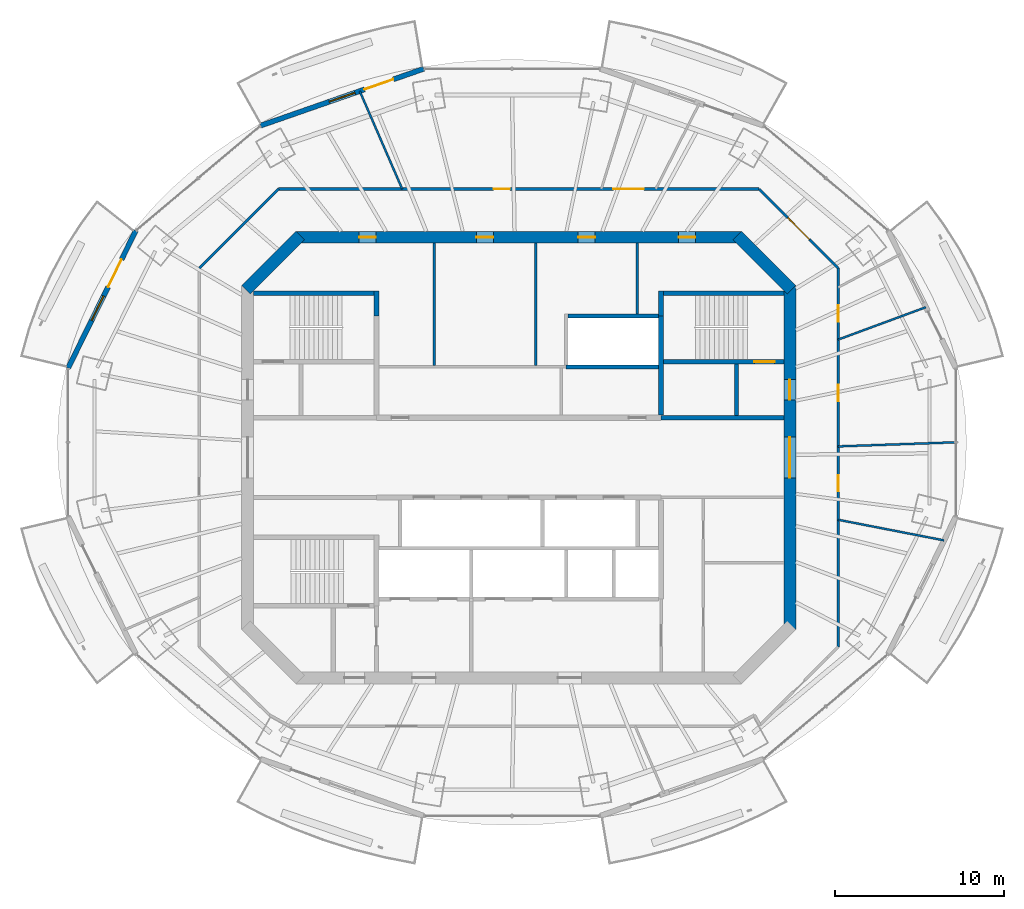
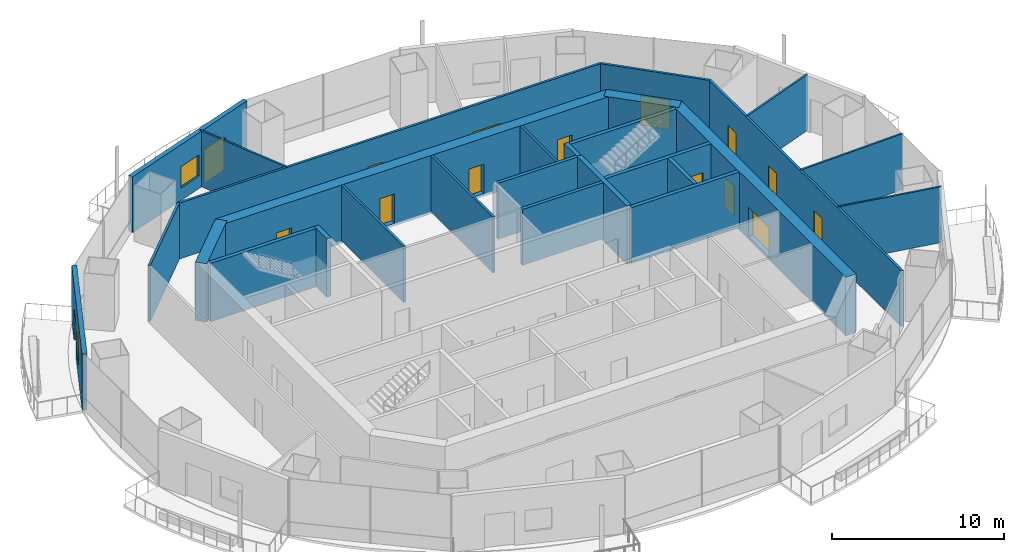
# One storey, part 10 of 16: 27 walls, 15 doors, 2 windows, 17 openings.
"""IFC4 building model written with IfcOpenShell, lengths in metres."""

from ifc_helpers import new_model, si_unit, direction, frame, frame_2d, origin, place, context, subcontext, project, spatial, rectangle, extrude, material, layer, layer_set, type_object, element, fill, save


model = new_model("IFC4")

# Units and contexts
model_context = context("Model", 3, precision=1e-05, world=origin(), true_north=direction((0.0, 1.0)))
body_context = subcontext(model_context, "Body", "Model", "MODEL_VIEW")
ifc_project = project(units=[si_unit("LENGTHUNIT", "METRE"), si_unit("AREAUNIT", "SQUARE_METRE"), si_unit("VOLUMEUNIT", "CUBIC_METRE"), si_unit("PLANEANGLEUNIT", "RADIAN"), si_unit("MASSUNIT", "GRAM", prefix="KILO")], contexts=[model_context])

# Site, building, storey
site_placement = place(None, origin())
site = spatial("IfcSite", under=ifc_project, at=site_placement, CompositionType="ELEMENT")
building_placement = place(site_placement, origin())
building = spatial("IfcBuilding", under=site, at=building_placement, Name="Marenthal Gate Tower", CompositionType="ELEMENT")
storey_placement = place(building_placement, frame((0.0, 0.0, 355.050048828125)))
storey = spatial("IfcBuildingStorey", under=building, at=storey_placement, Name="L80", CompositionType="ELEMENT", Elevation=355.050048828125)

# Wall, openings, doors
ifc_material_1 = material(Name="Concrete 60 MPa", Category="concrete")
ifc_layer_1 = layer(ifc_material_1, 0.699951171875)
ifc_layer_set_1 = layer_set([ifc_layer_1], Name="Core shear wall 700")
wall_type_1 = type_object("IfcWallType", Name="Core shear wall 700", PredefinedType="SHEAR", material=ifc_layer_set_1)
wall_1_placement = place(storey_placement, frame((16.0, -10.14501953125, -0.179931640625), z_axis=(0.0, 0.0, 1.0), x_axis=(0.0, 1.0, 0.0)))
wall_1 = element("IfcWall", 1, at=wall_1_placement, inside=storey, type_object=wall_type_1, Name="Core wall 02", PredefinedType="SHEAR", context=body_context, shape_type="SweptSolid", body=[
    extrude(rectangle(XDim=20.2900390625, YDim=0.699951171875, at=frame_2d((10.14501953125, 0.0))), origin(), (0.0, 0.0, 1.0), 4.14990234375),
])
opening_1_placement = place(wall_1_placement, frame((8.945068359375, 0.0, 0.179931640625)))
opening_1 = element("IfcOpeningElement", 2, at=opening_1_placement, cuts=wall_1, Name="Opening D003.02", PredefinedType="OPENING", context=body_context, shape_type="SweptSolid", body=[
    extrude(rectangle(XDim=2.39990234375, YDim=2.10009765625, at=frame_2d((1.199951171875, 1.050048828125))), frame((0.0, 0.35986328125, 0.0), z_axis=(0.0, -1.0, 0.0), x_axis=(1.0, 0.0, 0.0)), (0.0, 0.0, 1.0), 0.719970703125),
])
opening_2_placement = place(wall_1_placement, frame((13.544921875, 0.0, 0.179931640625)))
opening_2 = element("IfcOpeningElement", 3, at=opening_2_placement, cuts=wall_1, Name="Opening D001.05", PredefinedType="OPENING", context=body_context, shape_type="SweptSolid", body=[
    extrude(rectangle(XDim=1.199951171875, YDim=2.10009765625, at=frame_2d((0.60009765625, 1.050048828125))), frame((0.0, 0.35986328125, 0.0), z_axis=(0.0, -1.0, 0.0), x_axis=(1.0, 0.0, 0.0)), (0.0, 0.0, 1.0), 0.719970703125),
])
ifc_material_2 = material(Name="Steel fire door", Category="steel")
door_type_1 = type_object("IfcDoorType", Name="Double fire door FD 45 2400 x 2100", OperationType="DOUBLE_DOOR_SINGLE_SWING", PredefinedType="DOOR", material=ifc_material_2)
door_1_placement = place(opening_1_placement, origin())
door_1 = element("IfcDoor", 4, at=door_1_placement, inside=storey, type_object=door_type_1, Name="Door D003.02", OperationType="DOUBLE_DOOR_SINGLE_SWING", OverallHeight=2.10009765625, OverallWidth=2.39990234375, PredefinedType="DOOR", context=body_context, shape_type="SweptSolid", body=[
    extrude(rectangle(XDim=2.39990234375, YDim=2.10009765625, at=frame_2d((1.199951171875, 1.050048828125))), frame((0.0, 0.02490234375, 0.0), z_axis=(0.0, -1.0, 0.0), x_axis=(1.0, 0.0, 0.0)), (0.0, 0.0, 1.0), 0.050048828125),
])
fill(opening_1, door_1)
ifc_material_3 = material(Name="Steel fire door", Category="steel")
door_type_2 = type_object("IfcDoorType", Name="Fire door FD 90 1200 x 2100", OperationType="NOTDEFINED", PredefinedType="DOOR", material=ifc_material_3)
door_2_placement = place(opening_2_placement, origin())
door_2 = element("IfcDoor", 5, at=door_2_placement, inside=storey, type_object=door_type_2, Name="Door D001.05", OperationType="SINGLE_SWING_RIGHT", OverallHeight=2.10009765625, OverallWidth=1.199951171875, PredefinedType="DOOR", context=body_context, shape_type="SweptSolid", body=[
    extrude(rectangle(XDim=1.199951171875, YDim=2.10009765625, at=frame_2d((0.60009765625, 1.050048828125))), frame((0.0, 0.02490234375, 0.0), z_axis=(0.0, -1.0, 0.0), x_axis=(1.0, 0.0, 0.0)), (0.0, 0.0, 1.0), 0.050048828125),
])
fill(opening_2, door_2)

# Wall
wall_2_placement = place(storey_placement, frame((16.1025390625, 9.8974609375, -0.179931640625), z_axis=(0.0, 0.0, 1.0), x_axis=(-0.707106781187, 0.707106781187, 0.0)))
element("IfcWall", 6, at=wall_2_placement, inside=storey, type_object=wall_type_1, Name="Core wall 03", PredefinedType="SHEAR", context=body_context, shape_type="SweptSolid", body=[
    extrude(rectangle(XDim=4.53271484375, YDim=0.699951171875, at=frame_2d((2.266357421875, 0.0))), origin(), (0.0, 0.0, 1.0), 4.14990234375),
])

# Wall, openings, doors
wall_3_placement = place(storey_placement, frame((13.14501953125, 13.0, -0.179931640625), z_axis=(0.0, 0.0, 1.0), x_axis=(-1.0, 0.0, 0.0)))
wall_3 = element("IfcWall", 7, at=wall_3_placement, inside=storey, type_object=wall_type_1, Name="Core wall 04", PredefinedType="SHEAR", context=body_context, shape_type="SweptSolid", body=[
    extrude(rectangle(XDim=26.2900390625, YDim=0.699951171875, at=frame_2d((13.14501953125, 0.0))), origin(), (0.0, 0.0, 1.0), 4.14990234375),
])
opening_3_placement = place(wall_3_placement, frame((21.57275390625, 0.0, 0.179931640625)))
opening_3 = element("IfcOpeningElement", 8, at=opening_3_placement, cuts=wall_3, Name="Opening D005.03", PredefinedType="OPENING", context=body_context, shape_type="SweptSolid", body=[
    extrude(rectangle(XDim=1.0, YDim=2.10009765625, at=frame_2d((0.5, 1.050048828125))), frame((0.0, 0.35986328125, 0.0), z_axis=(0.0, -1.0, 0.0), x_axis=(1.0, 0.0, 0.0)), (0.0, 0.0, 1.0), 0.719970703125),
])
opening_4_placement = place(wall_3_placement, frame((14.64501953125, 0.0, 0.179931640625)))
opening_4 = element("IfcOpeningElement", 9, at=opening_4_placement, cuts=wall_3, Name="Opening D005.04", PredefinedType="OPENING", context=body_context, shape_type="SweptSolid", body=[
    extrude(rectangle(XDim=1.0, YDim=2.10009765625, at=frame_2d((0.5, 1.050048828125))), frame((0.0, 0.35986328125, 0.0), z_axis=(0.0, -1.0, 0.0), x_axis=(1.0, 0.0, 0.0)), (0.0, 0.0, 1.0), 0.719970703125),
])
opening_5_placement = place(wall_3_placement, frame((8.64501953125, 0.0, 0.179931640625)))
opening_5 = element("IfcOpeningElement", 10, at=opening_5_placement, cuts=wall_3, Name="Opening D005.05", PredefinedType="OPENING", context=body_context, shape_type="SweptSolid", body=[
    extrude(rectangle(XDim=1.0, YDim=2.10009765625, at=frame_2d((0.5, 1.050048828125))), frame((0.0, 0.35986328125, 0.0), z_axis=(0.0, -1.0, 0.0), x_axis=(1.0, 0.0, 0.0)), (0.0, 0.0, 1.0), 0.719970703125),
])
opening_6_placement = place(wall_3_placement, frame((2.71728515625, 0.0, 0.179931640625)))
opening_6 = element("IfcOpeningElement", 11, at=opening_6_placement, cuts=wall_3, Name="Opening D005.06", PredefinedType="OPENING", context=body_context, shape_type="SweptSolid", body=[
    extrude(rectangle(XDim=1.0, YDim=2.10009765625, at=frame_2d((0.5, 1.050048828125))), frame((0.0, 0.35986328125, 0.0), z_axis=(0.0, -1.0, 0.0), x_axis=(1.0, 0.0, 0.0)), (0.0, 0.0, 1.0), 0.719970703125),
])
ifc_material_4 = material(Name="Steel fire door", Category="steel")
door_type_3 = type_object("IfcDoorType", Name="Fire door FD 45 1000 x 2100", OperationType="NOTDEFINED", PredefinedType="DOOR", material=ifc_material_4)
door_3_placement = place(opening_3_placement, origin())
door_3 = element("IfcDoor", 12, at=door_3_placement, inside=storey, type_object=door_type_3, Name="Door D005.03", OperationType="SINGLE_SWING_RIGHT", OverallHeight=2.10009765625, OverallWidth=1.0, PredefinedType="DOOR", context=body_context, shape_type="SweptSolid", body=[
    extrude(rectangle(XDim=1.0, YDim=2.10009765625, at=frame_2d((0.5, 1.050048828125))), frame((0.0, 0.02490234375, 0.0), z_axis=(0.0, -1.0, 0.0), x_axis=(1.0, 0.0, 0.0)), (0.0, 0.0, 1.0), 0.050048828125),
])
fill(opening_3, door_3)
door_4_placement = place(opening_4_placement, origin())
door_4 = element("IfcDoor", 13, at=door_4_placement, inside=storey, type_object=door_type_3, Name="Door D005.04", OperationType="SINGLE_SWING_RIGHT", OverallHeight=2.10009765625, OverallWidth=1.0, PredefinedType="DOOR", context=body_context, shape_type="SweptSolid", body=[
    extrude(rectangle(XDim=1.0, YDim=2.10009765625, at=frame_2d((0.5, 1.050048828125))), frame((0.0, 0.02490234375, 0.0), z_axis=(0.0, -1.0, 0.0), x_axis=(1.0, 0.0, 0.0)), (0.0, 0.0, 1.0), 0.050048828125),
])
fill(opening_4, door_4)
door_5_placement = place(opening_5_placement, origin())
door_5 = element("IfcDoor", 14, at=door_5_placement, inside=storey, type_object=door_type_3, Name="Door D005.05", OperationType="SINGLE_SWING_RIGHT", OverallHeight=2.10009765625, OverallWidth=1.0, PredefinedType="DOOR", context=body_context, shape_type="SweptSolid", body=[
    extrude(rectangle(XDim=1.0, YDim=2.10009765625, at=frame_2d((0.5, 1.050048828125))), frame((0.0, 0.02490234375, 0.0), z_axis=(0.0, -1.0, 0.0), x_axis=(1.0, 0.0, 0.0)), (0.0, 0.0, 1.0), 0.050048828125),
])
fill(opening_5, door_5)
door_6_placement = place(opening_6_placement, origin())
door_6 = element("IfcDoor", 15, at=door_6_placement, inside=storey, type_object=door_type_3, Name="Door D005.06", OperationType="SINGLE_SWING_RIGHT", OverallHeight=2.10009765625, OverallWidth=1.0, PredefinedType="DOOR", context=body_context, shape_type="SweptSolid", body=[
    extrude(rectangle(XDim=1.0, YDim=2.10009765625, at=frame_2d((0.5, 1.050048828125))), frame((0.0, 0.02490234375, 0.0), z_axis=(0.0, -1.0, 0.0), x_axis=(1.0, 0.0, 0.0)), (0.0, 0.0, 1.0), 0.050048828125),
])
fill(opening_6, door_6)

# Walls
wall_4_placement = place(storey_placement, frame((-12.8974609375, 13.1025390625, -0.179931640625), z_axis=(0.0, 0.0, 1.0), x_axis=(-0.707106781187, -0.707106781187, 0.0)))
element("IfcWall", 16, at=wall_4_placement, inside=storey, type_object=wall_type_1, Name="Core wall 05", PredefinedType="SHEAR", context=body_context, shape_type="SweptSolid", body=[
    extrude(rectangle(XDim=4.53271484375, YDim=0.699951171875, at=frame_2d((2.266357421875, 0.0))), origin(), (0.0, 0.0, 1.0), 4.14990234375),
])
ifc_material_5 = material(Name="Concrete 50 MPa", Category="concrete")
ifc_layer_2 = layer(ifc_material_5, 0.300048828125)
ifc_layer_set_2 = layer_set([ifc_layer_2], Name="Hoistway shear wall 300")
wall_type_2 = type_object("IfcWallType", Name="Hoistway shear wall 300", PredefinedType="SHEAR", material=ifc_layer_set_2)
wall_5_placement = place(storey_placement, frame((8.39990234375, 2.5, -0.179931640625), z_axis=(0.0, 0.0, 1.0), x_axis=(0.0, 1.0, 0.0)))
element("IfcWall", 17, at=wall_5_placement, inside=storey, type_object=wall_type_2, Name="Hoistway wall 48", PredefinedType="SHEAR", context=body_context, shape_type="SweptSolid", body=[
    extrude(rectangle(XDim=5.85009765625, YDim=0.300048828125, at=frame_2d((2.925048828125, 0.0))), origin(), (0.0, 0.0, 1.0), 4.14990234375),
])
ifc_material_6 = material(Name="Concrete 40 MPa", Category="concrete")
ifc_layer_3 = layer(ifc_material_6, 0.219970703125)
ifc_layer_set_3 = layer_set([ifc_layer_3], Name="Hoistway wall 220")
wall_type_3 = type_object("IfcWallType", Name="Hoistway wall 220", PredefinedType="STANDARD", material=ifc_layer_set_3)
wall_6_placement = place(storey_placement, frame((2.800048828125, 5.35009765625, 0.0), z_axis=(0.0, 0.0, 1.0), x_axis=(1.0, 0.0, 0.0)))
element("IfcWall", 18, at=wall_6_placement, inside=storey, type_object=wall_type_3, Name="Hoistway wall 22", PredefinedType="STANDARD", context=body_context, shape_type="SweptSolid", body=[
    extrude(rectangle(XDim=5.449951171875, YDim=0.219970703125, at=frame_2d((2.72509765625, 0.0))), origin(), (0.0, 0.0, 1.0), 3.969970703125),
])
wall_7_placement = place(storey_placement, frame((2.909912109375, 8.35009765625, 0.0), z_axis=(0.0, 0.0, 1.0), x_axis=(1.0, 0.0, 0.0)))
element("IfcWall", 19, at=wall_7_placement, inside=storey, type_object=wall_type_3, Name="Hoistway wall 25", PredefinedType="STANDARD", context=body_context, shape_type="SweptSolid", body=[
    extrude(rectangle(XDim=5.340087890625, YDim=0.219970703125, at=frame_2d((2.669921875, 0.0))), origin(), (0.0, 0.0, 1.0), 3.969970703125),
])
ifc_material_7 = material(Name="Gypsum board on steel studs", Category="steel")
ifc_layer_4 = layer(ifc_material_7, 0.1201171875)
ifc_layer_set_4 = layer_set([ifc_layer_4], Name="Partition 120")
wall_type_4 = type_object("IfcWallType", Name="Partition 120", PredefinedType="PARTITIONING", material=ifc_layer_set_4)
wall_8_placement = place(storey_placement, frame((-6.879638671875, 15.85009765625, 0.0), z_axis=(0.0, 0.0, 1.0), x_axis=(-0.398181745678, 0.91730654495, 0.0)))
element("IfcWall", 20, at=wall_8_placement, inside=storey, type_object=wall_type_4, Name="Partition wall 58", PredefinedType="PARTITIONING", context=body_context, shape_type="SweptSolid", body=[
    extrude(rectangle(XDim=6.298095703125, YDim=0.1201171875, at=frame_2d((3.14892578125, 0.0))), origin(), (0.0, 0.0, 1.0), 3.969970703125),
])
wall_9_placement = place(storey_placement, frame((18.85009765625, -3.67138671875, 0.0), z_axis=(0.0, 0.0, 1.0), x_axis=(0.981557300208, -0.191168162643, 0.0)))
element("IfcWall", 21, at=wall_9_placement, inside=storey, type_object=wall_type_4, Name="Partition wall 67", PredefinedType="PARTITIONING", context=body_context, shape_type="SweptSolid", body=[
    extrude(rectangle(XDim=6.3701171875, YDim=0.1201171875, at=frame_2d((3.18505859375, 0.0))), origin(), (0.0, 0.0, 1.0), 3.969970703125),
])
wall_10_placement = place(storey_placement, frame((18.85009765625, 0.65771484375, 0.0), z_axis=(0.0, 0.0, 1.0), x_axis=(0.999392274324, 0.034858026656, 0.0)))
element("IfcWall", 22, at=wall_10_placement, inside=storey, type_object=wall_type_4, Name="Partition wall 68", PredefinedType="PARTITIONING", context=body_context, shape_type="SweptSolid", body=[
    extrude(rectangle(XDim=6.94775390625, YDim=0.1201171875, at=frame_2d((3.473876953125, 0.0))), origin(), (0.0, 0.0, 1.0), 3.969970703125),
])
wall_11_placement = place(storey_placement, frame((18.85009765625, 6.961669921875, 0.0), z_axis=(0.0, 0.0, 1.0), x_axis=(0.93806639646, 0.346455532259, 0.0)))
element("IfcWall", 23, at=wall_11_placement, inside=storey, type_object=wall_type_4, Name="Partition wall 69", PredefinedType="PARTITIONING", context=body_context, shape_type="SweptSolid", body=[
    extrude(rectangle(XDim=5.51904296875, YDim=0.1201171875, at=frame_2d((2.759521484375, 0.0))), origin(), (0.0, 0.0, 1.0), 3.969970703125),
])
ifc_material_8 = material(Name="Gypsum board on steel studs", Category="steel")
ifc_layer_5 = layer(ifc_material_8, 0.14990234375)
ifc_layer_set_5 = layer_set([ifc_layer_5], Name="Partition 150")
wall_type_5 = type_object("IfcWallType", Name="Partition 150", PredefinedType="PARTITIONING", material=ifc_layer_set_5)
for number, where, z_axis, x_axis, name in (
    (24, (-5.0, 5.425048828125, 0.0), (0.0, 0.0, 1.0), (0.0, 1.0, 0.0), "Partition wall 35"),
    (25, (1.0, 5.425048828125, 0.0), (0.0, 0.0, 1.0), (0.0, 1.0, 0.0), "Partition wall 38"),
):
    element("IfcWall", number, at=place(storey_placement, frame(where, z_axis=z_axis, x_axis=x_axis)), inside=storey, type_object=wall_type_5, Name=name, PredefinedType="PARTITIONING", context=body_context, shape_type="SweptSolid", body=[
        extrude(rectangle(XDim=7.224853515625, YDim=0.14990234375, at=frame_2d((3.6123046875, 0.0))), origin(), (0.0, 0.0, 1.0), 3.969970703125),
    ])
wall_12_placement = place(storey_placement, frame((7.0, 8.4599609375, 0.0), z_axis=(0.0, 0.0, 1.0), x_axis=(0.0, 1.0, 0.0)))
element("IfcWall", 26, at=wall_12_placement, inside=storey, type_object=wall_type_5, Name="Partition wall 45", PredefinedType="PARTITIONING", context=body_context, shape_type="SweptSolid", body=[
    extrude(rectangle(XDim=4.18994140625, YDim=0.14990234375, at=frame_2d((2.094970703125, 0.0))), origin(), (0.0, 0.0, 1.0), 3.969970703125),
])
wall_13_placement = place(storey_placement, frame((-18.85009765625, 11.180419921875, 0.0), z_axis=(0.0, 0.0, 1.0), x_axis=(0.707106781187, 0.707106781187, 0.0)))
element("IfcWall", 27, at=wall_13_placement, inside=storey, type_object=wall_type_5, Name="Partition wall 54", PredefinedType="PARTITIONING", context=body_context, shape_type="SweptSolid", body=[
    extrude(rectangle(XDim=6.60400390625, YDim=0.14990234375, at=frame_2d((3.302001953125, 0.0))), origin(), (0.0, 0.0, 1.0), 3.969970703125),
])

# Wall, openings, doors
wall_14_placement = place(storey_placement, frame((-14.180419921875, 15.85009765625, 0.0), z_axis=(0.0, 0.0, 1.0), x_axis=(1.0, 0.0, 0.0)))
wall_14 = element("IfcWall", 28, at=wall_14_placement, inside=storey, type_object=wall_type_5, Name="Partition wall 56", PredefinedType="PARTITIONING", context=body_context, shape_type="SweptSolid", body=[
    extrude(rectangle(XDim=28.36083984375, YDim=0.14990234375, at=frame_2d((14.180419921875, 0.0))), origin(), (0.0, 0.0, 1.0), 3.969970703125),
])
opening_7_placement = place(wall_14_placement, frame((19.759033203125, 0.0, 0.0)))
opening_7 = element("IfcOpeningElement", 29, at=opening_7_placement, cuts=wall_14, Name="Opening D014.02", PredefinedType="OPENING", context=body_context, shape_type="SweptSolid", body=[
    extrude(rectangle(XDim=1.800048828125, YDim=2.10009765625, at=frame_2d((0.89990234375, 1.050048828125))), frame((0.0, 0.0849609375, 0.0), z_axis=(0.0, -1.0, 0.0), x_axis=(1.0, 0.0, 0.0)), (0.0, 0.0, 1.0), 0.169921875),
])
opening_8_placement = place(wall_14_placement, frame((12.702880859375, 0.0, 0.0)))
opening_8 = element("IfcOpeningElement", 30, at=opening_8_placement, cuts=wall_14, Name="Opening D016.03", PredefinedType="OPENING", context=body_context, shape_type="SweptSolid", body=[
    extrude(rectangle(XDim=0.949951171875, YDim=2.10009765625, at=frame_2d((0.47509765625, 1.050048828125))), frame((0.0, 0.0849609375, 0.0), z_axis=(0.0, -1.0, 0.0), x_axis=(1.0, 0.0, 0.0)), (0.0, 0.0, 1.0), 0.169921875),
])
ifc_material_9 = material(Name="Timber door", Category="wood")
door_type_4 = type_object("IfcDoorType", Name="Door 950 x 2100", OperationType="NOTDEFINED", PredefinedType="DOOR", material=ifc_material_9)
door_7_placement = place(opening_8_placement, origin())
door_7 = element("IfcDoor", 31, at=door_7_placement, inside=storey, type_object=door_type_4, Name="Door D016.03", OperationType="SINGLE_SWING_RIGHT", OverallHeight=2.10009765625, OverallWidth=0.949951171875, PredefinedType="DOOR", context=body_context, shape_type="SweptSolid", body=[
    extrude(rectangle(XDim=0.949951171875, YDim=2.10009765625, at=frame_2d((0.47509765625, 1.050048828125))), frame((0.0, 0.02490234375, 0.0), z_axis=(0.0, -1.0, 0.0), x_axis=(1.0, 0.0, 0.0)), (0.0, 0.0, 1.0), 0.050048828125),
])
fill(opening_8, door_7)
ifc_material_10 = material(Name="Timber door", Category="wood")
door_type_5 = type_object("IfcDoorType", Name="Double door 1800 x 2100", OperationType="DOUBLE_DOOR_SINGLE_SWING", PredefinedType="DOOR", material=ifc_material_10)
door_8_placement = place(opening_7_placement, origin())
door_8 = element("IfcDoor", 32, at=door_8_placement, inside=storey, type_object=door_type_5, Name="Door D014.02", OperationType="DOUBLE_DOOR_SINGLE_SWING", OverallHeight=2.10009765625, OverallWidth=1.800048828125, PredefinedType="DOOR", context=body_context, shape_type="SweptSolid", body=[
    extrude(rectangle(XDim=1.800048828125, YDim=2.10009765625, at=frame_2d((0.89990234375, 1.050048828125))), frame((0.0, 0.02490234375, 0.0), z_axis=(0.0, -1.0, 0.0), x_axis=(1.0, 0.0, 0.0)), (0.0, 0.0, 1.0), 0.050048828125),
])
fill(opening_7, door_8)

# Wall, opening, door
wall_15_placement = place(storey_placement, frame((14.180419921875, 15.85009765625, 0.0), z_axis=(0.0, 0.0, 1.0), x_axis=(0.707106781187, -0.707106781187, 0.0)))
wall_15 = element("IfcWall", 33, at=wall_15_placement, inside=storey, type_object=wall_type_5, Name="Partition wall 64", PredefinedType="PARTITIONING", context=body_context, shape_type="SweptSolid", body=[
    extrude(rectangle(XDim=6.60400390625, YDim=0.14990234375, at=frame_2d((3.302001953125, 0.0))), origin(), (0.0, 0.0, 1.0), 3.969970703125),
])
opening_9_placement = place(wall_15_placement, frame((2.402099609375, 0.0, 0.0)))
opening_9 = element("IfcOpeningElement", 34, at=opening_9_placement, cuts=wall_15, Name="Opening D014.01", PredefinedType="OPENING", context=body_context, shape_type="SweptSolid", body=[
    extrude(rectangle(XDim=1.800048828125, YDim=2.10009765625, at=frame_2d((0.89990234375, 1.050048828125))), frame((0.0, 0.0849609375, 0.0), z_axis=(0.0, -1.0, 0.0), x_axis=(1.0, 0.0, 0.0)), (0.0, 0.0, 1.0), 0.169921875),
])
door_9_placement = place(opening_9_placement, origin())
door_9 = element("IfcDoor", 35, at=door_9_placement, inside=storey, type_object=door_type_5, Name="Door D014.01", OperationType="DOUBLE_DOOR_SINGLE_SWING", OverallHeight=2.10009765625, OverallWidth=1.800048828125, PredefinedType="DOOR", context=body_context, shape_type="SweptSolid", body=[
    extrude(rectangle(XDim=1.800048828125, YDim=2.10009765625, at=frame_2d((0.89990234375, 1.050048828125))), frame((0.0, 0.02490234375, 0.0), z_axis=(0.0, -1.0, 0.0), x_axis=(1.0, 0.0, 0.0)), (0.0, 0.0, 1.0), 0.050048828125),
])
fill(opening_9, door_9)

# Wall, openings, doors
wall_16_placement = place(storey_placement, frame((18.85009765625, 11.180419921875, 0.0), z_axis=(0.0, 0.0, 1.0), x_axis=(0.0, -1.0, 0.0)))
wall_16 = element("IfcWall", 36, at=wall_16_placement, inside=storey, type_object=wall_type_5, Name="Partition wall 71", PredefinedType="PARTITIONING", context=body_context, shape_type="SweptSolid", body=[
    extrude(rectangle(XDim=22.36083984375, YDim=0.14990234375, at=frame_2d((11.180419921875, 0.0))), origin(), (0.0, 0.0, 1.0), 3.969970703125),
])
opening_10_placement = place(wall_16_placement, frame((6.89599609375, 0.0, 0.0)))
opening_10 = element("IfcOpeningElement", 37, at=opening_10_placement, cuts=wall_16, Name="Opening D016.01", PredefinedType="OPENING", context=body_context, shape_type="SweptSolid", body=[
    extrude(rectangle(XDim=0.949951171875, YDim=2.10009765625, at=frame_2d((0.47509765625, 1.050048828125))), frame((0.0, 0.0849609375, 0.0), z_axis=(0.0, -1.0, 0.0), x_axis=(1.0, 0.0, 0.0)), (0.0, 0.0, 1.0), 0.169921875),
])
opening_11_placement = place(wall_16_placement, frame((2.205078125, 0.0, 0.0)))
opening_11 = element("IfcOpeningElement", 38, at=opening_11_placement, cuts=wall_16, Name="Opening D016.02", PredefinedType="OPENING", context=body_context, shape_type="SweptSolid", body=[
    extrude(rectangle(XDim=0.949951171875, YDim=2.10009765625, at=frame_2d((0.47509765625, 1.050048828125))), frame((0.0, 0.0849609375, 0.0), z_axis=(0.0, -1.0, 0.0), x_axis=(1.0, 0.0, 0.0)), (0.0, 0.0, 1.0), 0.169921875),
])
opening_12_placement = place(wall_16_placement, frame((12.2119140625, 0.0, 0.0)))
opening_12 = element("IfcOpeningElement", 39, at=opening_12_placement, cuts=wall_16, Name="Opening D016.06", PredefinedType="OPENING", context=body_context, shape_type="SweptSolid", body=[
    extrude(rectangle(XDim=0.949951171875, YDim=2.10009765625, at=frame_2d((0.47509765625, 1.050048828125))), frame((0.0, 0.0849609375, 0.0), z_axis=(0.0, -1.0, 0.0), x_axis=(1.0, 0.0, 0.0)), (0.0, 0.0, 1.0), 0.169921875),
])
door_10_placement = place(opening_10_placement, origin())
door_10 = element("IfcDoor", 40, at=door_10_placement, inside=storey, type_object=door_type_4, Name="Door D016.01", OperationType="SINGLE_SWING_RIGHT", OverallHeight=2.10009765625, OverallWidth=0.949951171875, PredefinedType="DOOR", context=body_context, shape_type="SweptSolid", body=[
    extrude(rectangle(XDim=0.949951171875, YDim=2.10009765625, at=frame_2d((0.47509765625, 1.050048828125))), frame((0.0, 0.02490234375, 0.0), z_axis=(0.0, -1.0, 0.0), x_axis=(1.0, 0.0, 0.0)), (0.0, 0.0, 1.0), 0.050048828125),
])
fill(opening_10, door_10)
door_11_placement = place(opening_11_placement, origin())
door_11 = element("IfcDoor", 41, at=door_11_placement, inside=storey, type_object=door_type_4, Name="Door D016.02", OperationType="SINGLE_SWING_RIGHT", OverallHeight=2.10009765625, OverallWidth=0.949951171875, PredefinedType="DOOR", context=body_context, shape_type="SweptSolid", body=[
    extrude(rectangle(XDim=0.949951171875, YDim=2.10009765625, at=frame_2d((0.47509765625, 1.050048828125))), frame((0.0, 0.02490234375, 0.0), z_axis=(0.0, -1.0, 0.0), x_axis=(1.0, 0.0, 0.0)), (0.0, 0.0, 1.0), 0.050048828125),
])
fill(opening_11, door_11)
door_12_placement = place(opening_12_placement, origin())
door_12 = element("IfcDoor", 42, at=door_12_placement, inside=storey, type_object=door_type_4, Name="Door D016.06", OperationType="SINGLE_SWING_RIGHT", OverallHeight=2.10009765625, OverallWidth=0.949951171875, PredefinedType="DOOR", context=body_context, shape_type="SweptSolid", body=[
    extrude(rectangle(XDim=0.949951171875, YDim=2.10009765625, at=frame_2d((0.47509765625, 1.050048828125))), frame((0.0, 0.02490234375, 0.0), z_axis=(0.0, -1.0, 0.0), x_axis=(1.0, 0.0, 0.0)), (0.0, 0.0, 1.0), 0.050048828125),
])
fill(opening_12, door_12)

# Walls
ifc_material_11 = material(Name="Concrete 40 MPa", Category="concrete")
ifc_layer_6 = layer(ifc_material_11, 0.25)
ifc_layer_set_6 = layer_set([ifc_layer_6], Name="Stair enclosure wall 250")
wall_type_6 = type_object("IfcWallType", Name="Stair enclosure wall 250", PredefinedType="STANDARD", material=ifc_layer_set_6)
wall_17_placement = place(storey_placement, frame((8.39990234375, 2.35009765625, 0.0), z_axis=(0.0, 0.0, 1.0), x_axis=(1.0, 0.0, 0.0)))
element("IfcWall", 43, at=wall_17_placement, inside=storey, type_object=wall_type_6, Name="Stair wall 20", PredefinedType="STANDARD", context=body_context, shape_type="SweptSolid", body=[
    extrude(rectangle(XDim=7.25, YDim=0.25, at=frame_2d((3.625, 0.0))), origin(), (0.0, 0.0, 1.0), 3.969970703125),
])
wall_18_placement = place(storey_placement, frame((12.85009765625, 2.47509765625, 0.0), z_axis=(0.0, 0.0, 1.0), x_axis=(0.0, 1.0, 0.0)))
element("IfcWall", 44, at=wall_18_placement, inside=storey, type_object=wall_type_6, Name="Stair wall 51", PredefinedType="STANDARD", context=body_context, shape_type="SweptSolid", body=[
    extrude(rectangle(XDim=3.0498046875, YDim=0.25, at=frame_2d((1.52490234375, 0.0))), origin(), (0.0, 0.0, 1.0), 3.969970703125),
])

# Wall, opening, door
ifc_material_12 = material(Name="Concrete 50 MPa", Category="concrete")
ifc_layer_7 = layer(ifc_material_12, 0.25)
ifc_layer_set_7 = layer_set([ifc_layer_7], Name="Stair shear wall 250")
wall_type_7 = type_object("IfcWallType", Name="Stair shear wall 250", PredefinedType="SHEAR", material=ifc_layer_set_7)
wall_19_placement = place(storey_placement, frame((8.550048828125, 5.64990234375, -0.179931640625), z_axis=(0.0, 0.0, 1.0), x_axis=(1.0, 0.0, 0.0)))
wall_19 = element("IfcWall", 45, at=wall_19_placement, inside=storey, type_object=wall_type_7, Name="Stair wall 24", PredefinedType="SHEAR", context=body_context, shape_type="SweptSolid", body=[
    extrude(rectangle(XDim=7.099853515625, YDim=0.25, at=frame_2d((3.5498046875, 0.0))), origin(), (0.0, 0.0, 1.0), 4.14990234375),
])
opening_13_placement = place(wall_19_placement, frame((5.35009765625, 0.0, 0.179931640625)))
opening_13 = element("IfcOpeningElement", 46, at=opening_13_placement, cuts=wall_19, Name="Opening D001.02", PredefinedType="OPENING", context=body_context, shape_type="SweptSolid", body=[
    extrude(rectangle(XDim=1.199951171875, YDim=2.10009765625, at=frame_2d((0.60009765625, 1.050048828125))), frame((0.0, 0.135009765625, 0.0), z_axis=(0.0, -1.0, 0.0), x_axis=(1.0, 0.0, 0.0)), (0.0, 0.0, 1.0), 0.27001953125),
])
door_13_placement = place(opening_13_placement, origin())
door_13 = element("IfcDoor", 47, at=door_13_placement, inside=storey, type_object=door_type_2, Name="Door D001.02", OperationType="SINGLE_SWING_RIGHT", OverallHeight=2.10009765625, OverallWidth=1.199951171875, PredefinedType="DOOR", context=body_context, shape_type="SweptSolid", body=[
    extrude(rectangle(XDim=1.199951171875, YDim=2.10009765625, at=frame_2d((0.60009765625, 1.050048828125))), frame((0.0, 0.02490234375, 0.0), z_axis=(0.0, -1.0, 0.0), x_axis=(1.0, 0.0, 0.0)), (0.0, 0.0, 1.0), 0.050048828125),
])
fill(opening_13, door_13)

# Walls
for number, where, z_axis, x_axis, name in (
    (48, (-15.64990234375, 9.699951171875, -0.179931640625), (0.0, 0.0, 1.0), (1.0, 0.0, 0.0), "Stair wall 26"),
    (49, (8.550048828125, 9.699951171875, -0.179931640625), (0.0, 0.0, 1.0), (1.0, 0.0, 0.0), "Stair wall 27"),
):
    element("IfcWall", number, at=place(storey_placement, frame(where, z_axis=z_axis, x_axis=x_axis)), inside=storey, type_object=wall_type_7, Name=name, PredefinedType="SHEAR", context=body_context, shape_type="SweptSolid", body=[
        extrude(rectangle(XDim=7.099853515625, YDim=0.25, at=frame_2d((3.5498046875, 0.0))), origin(), (0.0, 0.0, 1.0), 4.14990234375),
    ])
ifc_material_13 = material(Name="Concrete 50 MPa", Category="concrete")
ifc_layer_8 = layer(ifc_material_13, 0.300048828125)
ifc_layer_set_8 = layer_set([ifc_layer_8], Name="Stair shear wall 300")
wall_type_8 = type_object("IfcWallType", Name="Stair shear wall 300", PredefinedType="SHEAR", material=ifc_layer_set_8)
for number, where, z_axis, x_axis, name in (
    (50, (-8.39990234375, 8.35009765625, -0.179931640625), (0.0, 0.0, 1.0), (0.0, 1.0, 0.0), "Stair wall 33"),
    (51, (8.39990234375, 8.35009765625, -0.179931640625), (0.0, 0.0, 1.0), (0.0, 1.0, 0.0), "Stair wall 49"),
):
    element("IfcWall", number, at=place(storey_placement, frame(where, z_axis=z_axis, x_axis=x_axis)), inside=storey, type_object=wall_type_8, Name=name, PredefinedType="SHEAR", context=body_context, shape_type="SweptSolid", body=[
        extrude(rectangle(XDim=1.474853515625, YDim=0.300048828125, at=frame_2d((0.7373046875, 0.0))), origin(), (0.0, 0.0, 1.0), 4.14990234375),
    ])

# Wall, openings, door, window
ifc_material_14 = material(Name="Terracotta cladding on insulated concrete-block backing", Category="masonry")
ifc_layer_9 = layer(ifc_material_14, 0.300048828125)
ifc_layer_set_9 = layer_set([ifc_layer_9], Name="Terracotta facade wall 300")
wall_type_9 = type_object("IfcWallType", Name="Terracotta facade wall 300", PredefinedType="SOLIDWALL", material=ifc_layer_set_9)
wall_20_placement = place(storey_placement, frame((-5.6103515625, 22.944091796875, 0.0), z_axis=(0.0, 0.0, 1.0), x_axis=(-0.944272378507, -0.329165118428, 0.0)))
wall_20 = element("IfcWall", 52, at=wall_20_placement, inside=storey, type_object=wall_type_9, Name="Terracotta facade wall L80 bay 5", PredefinedType="SOLIDWALL", context=body_context, shape_type="SweptSolid", body=[
    extrude(rectangle(XDim=10.1953125, YDim=0.300048828125, at=frame_2d((5.09765625, 0.0))), origin(), (0.0, 0.0, 1.0), 3.969970703125),
])
opening_14_placement = place(wall_20_placement, frame((1.89990234375, 0.0, 0.0)))
opening_14 = element("IfcOpeningElement", 53, at=opening_14_placement, cuts=wall_20, Name="Opening BD-L80-05", PredefinedType="OPENING", context=body_context, shape_type="SweptSolid", body=[
    extrude(rectangle(XDim=1.800048828125, YDim=2.39990234375, at=frame_2d((0.89990234375, 1.199951171875))), frame((0.0, 0.16015625, 0.0), z_axis=(0.0, -1.0, 0.0), x_axis=(1.0, 0.0, 0.0)), (0.0, 0.0, 1.0), 0.320068359375),
])
opening_15_placement = place(wall_20_placement, frame((4.300048828125, 0.0, 0.89990234375)))
opening_15 = element("IfcOpeningElement", 54, at=opening_15_placement, cuts=wall_20, Name="Opening WN3-L80-05", PredefinedType="OPENING", context=body_context, shape_type="SweptSolid", body=[
    extrude(rectangle(XDim=1.60009765625, YDim=1.5, at=frame_2d((0.800048828125, 0.75))), frame((0.0, 0.16015625, 0.0), z_axis=(0.0, -1.0, 0.0), x_axis=(1.0, 0.0, 0.0)), (0.0, 0.0, 1.0), 0.320068359375),
])
ifc_material_15 = material(Name="Aluminium and glass", Category="aluminium")
door_type_6 = type_object("IfcDoorType", Name="Balcony door 1800x2400", OperationType="DOUBLE_DOOR_SINGLE_SWING", PredefinedType="DOOR", material=ifc_material_15)
door_14_placement = place(opening_14_placement, origin())
door_14 = element("IfcDoor", 55, at=door_14_placement, inside=storey, type_object=door_type_6, Name="Balcony door L80 bay 5", OperationType="SINGLE_SWING_LEFT", OverallHeight=2.39990234375, OverallWidth=1.800048828125, PredefinedType="DOOR", context=body_context, shape_type="SweptSolid", body=[
    extrude(rectangle(XDim=1.800048828125, YDim=2.39990234375, at=frame_2d((0.89990234375, 1.199951171875))), frame((0.0, 0.02490234375, 0.0), z_axis=(0.0, -1.0, 0.0), x_axis=(1.0, 0.0, 0.0)), (0.0, 0.0, 1.0), 0.050048828125),
])
fill(opening_14, door_14)
ifc_material_16 = material(Name="Aluminium and glass", Category="aluminium")
window_type = type_object("IfcWindowType", Name="Window 1600x1500", PartitioningType="DOUBLE_PANEL_VERTICAL", PredefinedType="WINDOW", material=ifc_material_16)
window_1_placement = place(opening_15_placement, origin())
window_1 = element("IfcWindow", 56, at=window_1_placement, inside=storey, type_object=window_type, Name="Window L80 bay 5", OverallHeight=1.5, OverallWidth=1.60009765625, PartitioningType="SINGLE_PANEL", PredefinedType="WINDOW", context=body_context, shape_type="SweptSolid", body=[
    extrude(rectangle(XDim=1.60009765625, YDim=1.5, at=frame_2d((0.800048828125, 0.75))), frame((0.0, 0.030029296875, 0.0), z_axis=(0.0, -1.0, 0.0), x_axis=(1.0, 0.0, 0.0)), (0.0, 0.0, 1.0), 0.06005859375),
])
fill(opening_15, window_1)

wall_21_placement = place(storey_placement, frame((-22.606201171875, 13.386962890625, 0.0), z_axis=(0.0, 0.0, 1.0), x_axis=(-0.441581239579, -0.897221270842, 0.0)))
wall_21 = element("IfcWall", 57, at=wall_21_placement, inside=storey, type_object=wall_type_9, Name="Terracotta facade wall L80 bay 7", PredefinedType="SOLIDWALL", context=body_context, shape_type="SweptSolid", body=[
    extrude(rectangle(XDim=9.0302734375, YDim=0.300048828125, at=frame_2d((4.51513671875, 0.0))), origin(), (0.0, 0.0, 1.0), 3.969970703125),
])
opening_16_placement = place(wall_21_placement, frame((1.89990234375, 0.0, 0.0)))
opening_16 = element("IfcOpeningElement", 58, at=opening_16_placement, cuts=wall_21, Name="Opening BD-L80-07", PredefinedType="OPENING", context=body_context, shape_type="SweptSolid", body=[
    extrude(rectangle(XDim=1.800048828125, YDim=2.39990234375, at=frame_2d((0.89990234375, 1.199951171875))), frame((0.0, 0.16015625, 0.0), z_axis=(0.0, -1.0, 0.0), x_axis=(1.0, 0.0, 0.0)), (0.0, 0.0, 1.0), 0.320068359375),
])
opening_17_placement = place(wall_21_placement, frame((4.300048828125, 0.0, 0.89990234375)))
opening_17 = element("IfcOpeningElement", 59, at=opening_17_placement, cuts=wall_21, Name="Opening WN3-L80-07", PredefinedType="OPENING", context=body_context, shape_type="SweptSolid", body=[
    extrude(rectangle(XDim=1.60009765625, YDim=1.5, at=frame_2d((0.800048828125, 0.75))), frame((0.0, 0.16015625, 0.0), z_axis=(0.0, -1.0, 0.0), x_axis=(1.0, 0.0, 0.0)), (0.0, 0.0, 1.0), 0.320068359375),
])
door_15_placement = place(opening_16_placement, origin())
door_15 = element("IfcDoor", 60, at=door_15_placement, inside=storey, type_object=door_type_6, Name="Balcony door L80 bay 7", OperationType="SINGLE_SWING_LEFT", OverallHeight=2.39990234375, OverallWidth=1.800048828125, PredefinedType="DOOR", context=body_context, shape_type="SweptSolid", body=[
    extrude(rectangle(XDim=1.800048828125, YDim=2.39990234375, at=frame_2d((0.89990234375, 1.199951171875))), frame((0.0, 0.02490234375, 0.0), z_axis=(0.0, -1.0, 0.0), x_axis=(1.0, 0.0, 0.0)), (0.0, 0.0, 1.0), 0.050048828125),
])
fill(opening_16, door_15)
window_2_placement = place(opening_17_placement, origin())
window_2 = element("IfcWindow", 61, at=window_2_placement, inside=storey, type_object=window_type, Name="Window L80 bay 7", OverallHeight=1.5, OverallWidth=1.60009765625, PartitioningType="SINGLE_PANEL", PredefinedType="WINDOW", context=body_context, shape_type="SweptSolid", body=[
    extrude(rectangle(XDim=1.60009765625, YDim=1.5, at=frame_2d((0.800048828125, 0.75))), frame((0.0, 0.030029296875, 0.0), z_axis=(0.0, -1.0, 0.0), x_axis=(1.0, 0.0, 0.0)), (0.0, 0.0, 1.0), 0.06005859375),
])
fill(opening_17, window_2)

save(model, "model.ifc")
